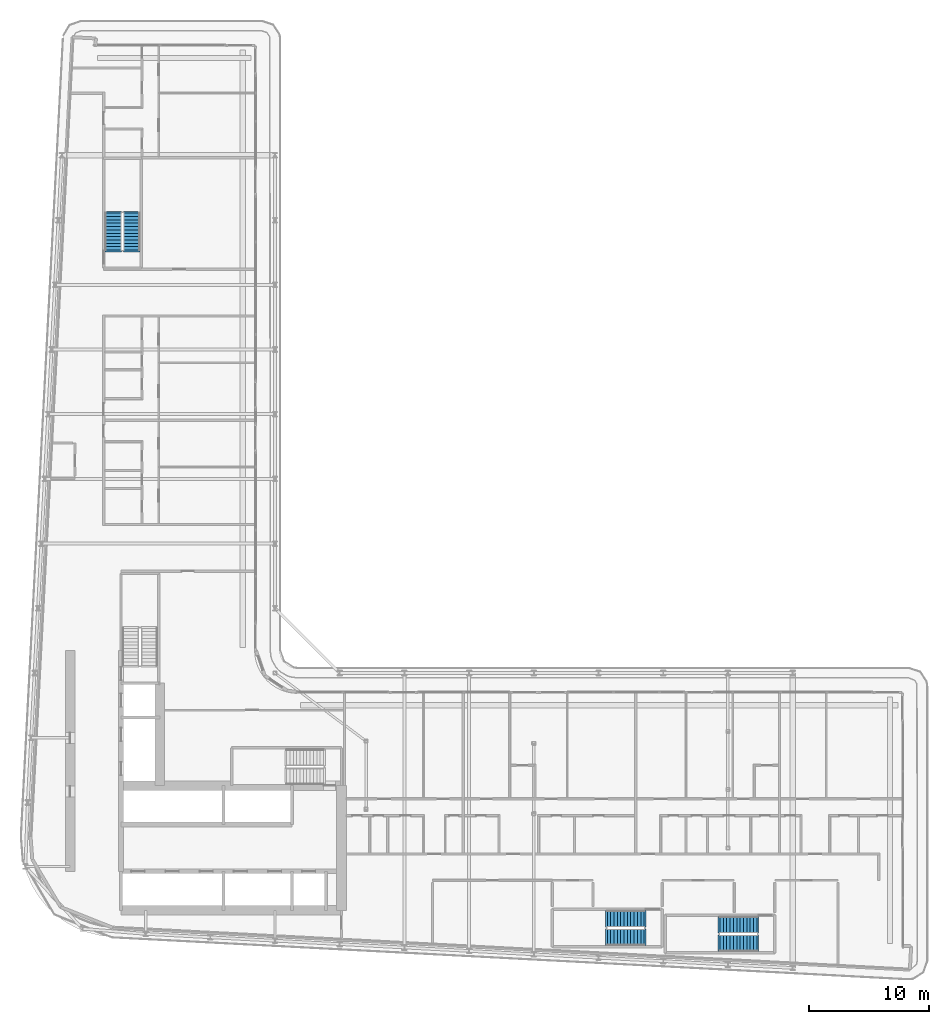
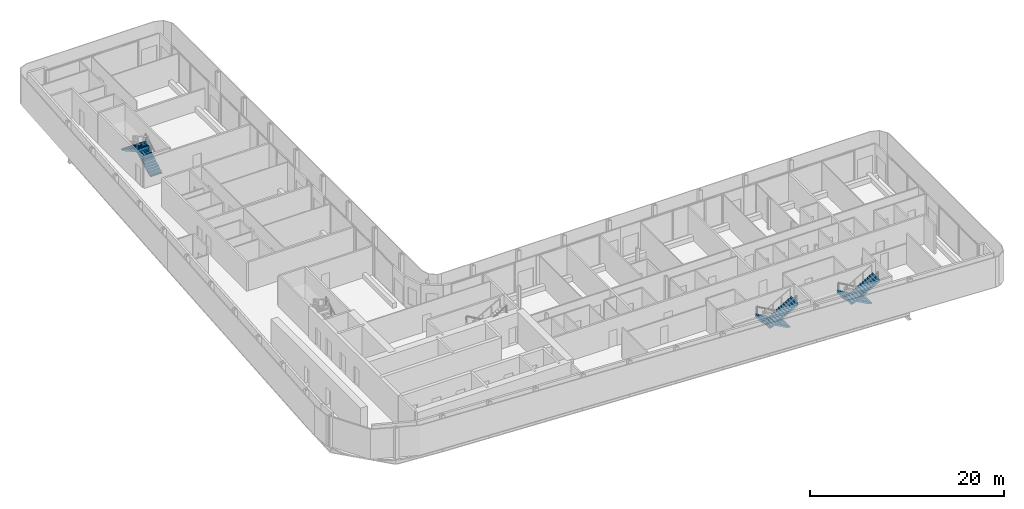
# One storey, part 22 of 29: 6 stair flights, 3 elements without a shape of their own.
"""IFC4 building model written with IfcOpenShell, lengths in metres."""

from ifc_helpers import new_model, si_unit, direction, frame, origin, place, context, subcontext, project, spatial, polyline, outline, extrude, material, layer, layer_set, type_object, element, aggregate, save


model = new_model("IFC4")

# Units and contexts
model_context = context("Model", 3, precision=1e-05, world=origin(), true_north=direction((0.0, 1.0)))
body_context = subcontext(model_context, "Body", "Model", "MODEL_VIEW")
ifc_project = project(units=[si_unit("LENGTHUNIT", "METRE"), si_unit("AREAUNIT", "SQUARE_METRE"), si_unit("VOLUMEUNIT", "CUBIC_METRE"), si_unit("PLANEANGLEUNIT", "RADIAN"), si_unit("MASSUNIT", "GRAM", prefix="KILO")], contexts=[model_context])

# Site, building, storey
site_placement = place(None, origin())
site = spatial("IfcSite", under=ifc_project, at=site_placement, CompositionType="ELEMENT")
building_placement = place(site_placement, origin())
building = spatial("IfcBuilding", under=site, at=building_placement, Name="Kheshtan School and Residences Tower", CompositionType="ELEMENT")
storey_placement = place(building_placement, frame((0.0, 0.0, 176.0)))
storey = spatial("IfcBuildingStorey", under=building, at=storey_placement, Name="L41", CompositionType="ELEMENT", Elevation=176.0)

# Stair, stair flights
ifc_material = material(Name="Concrete C40/50", Category="concrete")
stair_type = type_object("IfcStairType", Name="Exit stair, half-turn", PredefinedType="HALF_TURN_STAIR", material=ifc_material)
stair_1_placement = place(storey_placement, origin())
stair_1 = element("IfcStair", 1, at=stair_1_placement, inside=storey, type_object=stair_type, Name="L41 Protected Exit Stair ST3", PredefinedType="HALF_TURN_STAIR")
ifc_layer = layer(ifc_material, 0.14990234375)
ifc_layer_set = layer_set([ifc_layer], Name="Stair flight 1400 Concrete C40/50")
stair_flight_type = type_object("IfcStairFlightType", Name="Stair flight 1400 Concrete C40/50", PredefinedType="STRAIGHT", material=ifc_layer_set)
stair_flight_1_placement = place(storey_placement, frame((35.64990234375, 80.89990234375, 0.0), z_axis=(0.0, 0.0, 1.0), x_axis=(0.0, 1.0, 0.0)))
stair_flight_1 = element("IfcStairFlight", 2, at=stair_flight_1_placement, type_object=stair_flight_type, Name="ST3 flight 1", NumberOfRisers=12, NumberOfTreads=11, PredefinedType="STRAIGHT", RiserHeight=0.1625, TreadLength=0.28, context=body_context, shape_type="SweptSolid", body=[
    extrude(outline(polyline([(-0.14990234375, -0.10009765625), (-0.14990234375, 0.0), (0.0, 0.0), (0.0, 0.16259765625), (0.280029296875, 0.16259765625), (0.280029296875, 0.324951171875), (0.56005859375, 0.324951171875), (0.56005859375, 0.487548828125), (0.840087890625, 0.487548828125), (0.840087890625, 0.64990234375), (1.1201171875, 0.64990234375), (1.1201171875, 0.8125), (1.39990234375, 0.8125), (1.39990234375, 0.97509765625), (1.679931640625, 0.97509765625), (1.679931640625, 1.137451171875), (1.9599609375, 1.137451171875), (1.9599609375, 1.300048828125), (2.239990234375, 1.300048828125), (2.239990234375, 1.46240234375), (2.52001953125, 1.46240234375), (2.52001953125, 1.625), (2.800048828125, 1.625), (2.800048828125, 1.78759765625), (3.080078125, 1.78759765625), (3.080078125, 1.949951171875), (3.080078125, 1.969970703125), (3.22998046875, 1.969970703125), (3.22998046875, 1.6142578125), (0.298583984375, 0.0), (-0.14990234375, -0.10009765625)])), frame((0.0, 0.699951171875, 0.0), z_axis=(0.0, -1.0, 0.0), x_axis=(1.0, 0.0, 0.0)), (0.0, 0.0, 1.0), 1.39990234375),
])
stair_flight_2_placement = place(storey_placement, frame((34.10009765625, 83.97998046875, 1.949951171875), z_axis=(0.0, 0.0, 1.0), x_axis=(0.0, -1.0, 0.0)))
stair_flight_2 = element("IfcStairFlight", 3, at=stair_flight_2_placement, type_object=stair_flight_type, Name="ST3 flight 2", NumberOfRisers=12, NumberOfTreads=11, PredefinedType="STRAIGHT", RiserHeight=0.1625, TreadLength=0.28, context=body_context, shape_type="SweptSolid", body=[
    extrude(outline(polyline([(-0.14990234375, -0.10009765625), (-0.14990234375, 0.0), (0.0, 0.0), (0.0, 0.16259765625), (0.280029296875, 0.16259765625), (0.280029296875, 0.324951171875), (0.56005859375, 0.324951171875), (0.56005859375, 0.487548828125), (0.840087890625, 0.487548828125), (0.840087890625, 0.64990234375), (1.1201171875, 0.64990234375), (1.1201171875, 0.8125), (1.39990234375, 0.8125), (1.39990234375, 0.97509765625), (1.679931640625, 0.97509765625), (1.679931640625, 1.137451171875), (1.9599609375, 1.137451171875), (1.9599609375, 1.300048828125), (2.239990234375, 1.300048828125), (2.239990234375, 1.46240234375), (2.52001953125, 1.46240234375), (2.52001953125, 1.625), (2.800048828125, 1.625), (2.800048828125, 1.78759765625), (3.080078125, 1.78759765625), (3.080078125, 1.949951171875), (3.080078125, 1.969970703125), (3.22998046875, 1.969970703125), (3.22998046875, 1.6142578125), (0.298583984375, 0.0), (-0.14990234375, -0.10009765625)])), frame((0.0, 0.699951171875, 0.0), z_axis=(0.0, -1.0, 0.0), x_axis=(1.0, 0.0, 0.0)), (0.0, 0.0, 1.0), 1.39990234375),
])
aggregate(stair_1, [stair_flight_1, stair_flight_2])

stair_2_placement = place(storey_placement, origin())
stair_2 = element("IfcStair", 4, at=stair_2_placement, inside=storey, type_object=stair_type, Name="L41 Protected Exit Stair ST4", PredefinedType="HALF_TURN_STAIR")
stair_flight_3_placement = place(storey_placement, frame((87.820068359375, 24.60009765625, 0.0), z_axis=(0.0, 0.0, 1.0), x_axis=(-1.0, 0.0, 0.0)))
stair_flight_3 = element("IfcStairFlight", 5, at=stair_flight_3_placement, type_object=stair_flight_type, Name="ST4 flight 1", NumberOfRisers=12, NumberOfTreads=11, PredefinedType="STRAIGHT", RiserHeight=0.1625, TreadLength=0.28, context=body_context, shape_type="SweptSolid", body=[
    extrude(outline(polyline([(-0.14990234375, -0.10009765625), (-0.14990234375, 0.0), (0.0, 0.0), (0.0, 0.16259765625), (0.280029296875, 0.16259765625), (0.280029296875, 0.324951171875), (0.56005859375, 0.324951171875), (0.56005859375, 0.487548828125), (0.840087890625, 0.487548828125), (0.840087890625, 0.64990234375), (1.1201171875, 0.64990234375), (1.1201171875, 0.8125), (1.39990234375, 0.8125), (1.39990234375, 0.97509765625), (1.679931640625, 0.97509765625), (1.679931640625, 1.137451171875), (1.9599609375, 1.137451171875), (1.9599609375, 1.300048828125), (2.239990234375, 1.300048828125), (2.239990234375, 1.46240234375), (2.52001953125, 1.46240234375), (2.52001953125, 1.625), (2.800048828125, 1.625), (2.800048828125, 1.78759765625), (3.080078125, 1.78759765625), (3.080078125, 1.949951171875), (3.080078125, 1.969970703125), (3.22998046875, 1.969970703125), (3.22998046875, 1.6142578125), (0.298583984375, 0.0), (-0.14990234375, -0.10009765625)])), frame((0.0, 0.699951171875, 0.0), z_axis=(0.0, -1.0, 0.0), x_axis=(1.0, 0.0, 0.0)), (0.0, 0.0, 1.0), 1.39990234375),
])
stair_flight_4_placement = place(storey_placement, frame((84.739990234375, 23.050048828125, 1.949951171875), z_axis=(0.0, 0.0, 1.0), x_axis=(1.0, 0.0, 0.0)))
stair_flight_4 = element("IfcStairFlight", 6, at=stair_flight_4_placement, type_object=stair_flight_type, Name="ST4 flight 2", NumberOfRisers=12, NumberOfTreads=11, PredefinedType="STRAIGHT", RiserHeight=0.1625, TreadLength=0.28, context=body_context, shape_type="SweptSolid", body=[
    extrude(outline(polyline([(-0.14990234375, -0.10009765625), (-0.14990234375, 0.0), (0.0, 0.0), (0.0, 0.16259765625), (0.280029296875, 0.16259765625), (0.280029296875, 0.324951171875), (0.56005859375, 0.324951171875), (0.56005859375, 0.487548828125), (0.840087890625, 0.487548828125), (0.840087890625, 0.64990234375), (1.1201171875, 0.64990234375), (1.1201171875, 0.8125), (1.39990234375, 0.8125), (1.39990234375, 0.97509765625), (1.679931640625, 0.97509765625), (1.679931640625, 1.137451171875), (1.9599609375, 1.137451171875), (1.9599609375, 1.300048828125), (2.239990234375, 1.300048828125), (2.239990234375, 1.46240234375), (2.52001953125, 1.46240234375), (2.52001953125, 1.625), (2.800048828125, 1.625), (2.800048828125, 1.78759765625), (3.080078125, 1.78759765625), (3.080078125, 1.949951171875), (3.080078125, 1.969970703125), (3.22998046875, 1.969970703125), (3.22998046875, 1.6142578125), (0.298583984375, 0.0), (-0.14990234375, -0.10009765625)])), frame((0.0, 0.699951171875, 0.0), z_axis=(0.0, -1.0, 0.0), x_axis=(1.0, 0.0, 0.0)), (0.0, 0.0, 1.0), 1.39990234375),
])
aggregate(stair_2, [stair_flight_3, stair_flight_4])

stair_3_placement = place(storey_placement, origin())
stair_3 = element("IfcStair", 7, at=stair_3_placement, inside=storey, type_object=stair_type, Name="L41 Protected Exit Stair ST5", PredefinedType="HALF_TURN_STAIR")
stair_flight_5_placement = place(storey_placement, frame((78.409912109375, 25.10009765625, 0.0), z_axis=(0.0, 0.0, 1.0), x_axis=(-1.0, 0.0, 0.0)))
stair_flight_5 = element("IfcStairFlight", 8, at=stair_flight_5_placement, type_object=stair_flight_type, Name="ST5 flight 1", NumberOfRisers=12, NumberOfTreads=11, PredefinedType="STRAIGHT", RiserHeight=0.1625, TreadLength=0.28, context=body_context, shape_type="SweptSolid", body=[
    extrude(outline(polyline([(-0.14990234375, -0.10009765625), (-0.14990234375, 0.0), (0.0, 0.0), (0.0, 0.16259765625), (0.280029296875, 0.16259765625), (0.280029296875, 0.324951171875), (0.56005859375, 0.324951171875), (0.56005859375, 0.487548828125), (0.840087890625, 0.487548828125), (0.840087890625, 0.64990234375), (1.1201171875, 0.64990234375), (1.1201171875, 0.8125), (1.39990234375, 0.8125), (1.39990234375, 0.97509765625), (1.679931640625, 0.97509765625), (1.679931640625, 1.137451171875), (1.9599609375, 1.137451171875), (1.9599609375, 1.300048828125), (2.239990234375, 1.300048828125), (2.239990234375, 1.46240234375), (2.52001953125, 1.46240234375), (2.52001953125, 1.625), (2.800048828125, 1.625), (2.800048828125, 1.78759765625), (3.080078125, 1.78759765625), (3.080078125, 1.949951171875), (3.080078125, 1.969970703125), (3.22998046875, 1.969970703125), (3.22998046875, 1.6142578125), (0.298583984375, 0.0), (-0.14990234375, -0.10009765625)])), frame((0.0, 0.699951171875, 0.0), z_axis=(0.0, -1.0, 0.0), x_axis=(1.0, 0.0, 0.0)), (0.0, 0.0, 1.0), 1.39990234375),
])
stair_flight_6_placement = place(storey_placement, frame((75.330078125, 23.550048828125, 1.949951171875), z_axis=(0.0, 0.0, 1.0), x_axis=(1.0, 0.0, 0.0)))
stair_flight_6 = element("IfcStairFlight", 9, at=stair_flight_6_placement, type_object=stair_flight_type, Name="ST5 flight 2", NumberOfRisers=12, NumberOfTreads=11, PredefinedType="STRAIGHT", RiserHeight=0.1625, TreadLength=0.28, context=body_context, shape_type="SweptSolid", body=[
    extrude(outline(polyline([(-0.14990234375, -0.10009765625), (-0.14990234375, 0.0), (0.0, 0.0), (0.0, 0.16259765625), (0.280029296875, 0.16259765625), (0.280029296875, 0.324951171875), (0.56005859375, 0.324951171875), (0.56005859375, 0.487548828125), (0.840087890625, 0.487548828125), (0.840087890625, 0.64990234375), (1.1201171875, 0.64990234375), (1.1201171875, 0.8125), (1.39990234375, 0.8125), (1.39990234375, 0.97509765625), (1.679931640625, 0.97509765625), (1.679931640625, 1.137451171875), (1.9599609375, 1.137451171875), (1.9599609375, 1.300048828125), (2.239990234375, 1.300048828125), (2.239990234375, 1.46240234375), (2.52001953125, 1.46240234375), (2.52001953125, 1.625), (2.800048828125, 1.625), (2.800048828125, 1.78759765625), (3.080078125, 1.78759765625), (3.080078125, 1.949951171875), (3.080078125, 1.969970703125), (3.22998046875, 1.969970703125), (3.22998046875, 1.6142578125), (0.298583984375, 0.0), (-0.14990234375, -0.10009765625)])), frame((0.0, 0.699951171875, 0.0), z_axis=(0.0, -1.0, 0.0), x_axis=(1.0, 0.0, 0.0)), (0.0, 0.0, 1.0), 1.39990234375),
])
aggregate(stair_3, [stair_flight_5, stair_flight_6])

save(model, "model.ifc")
